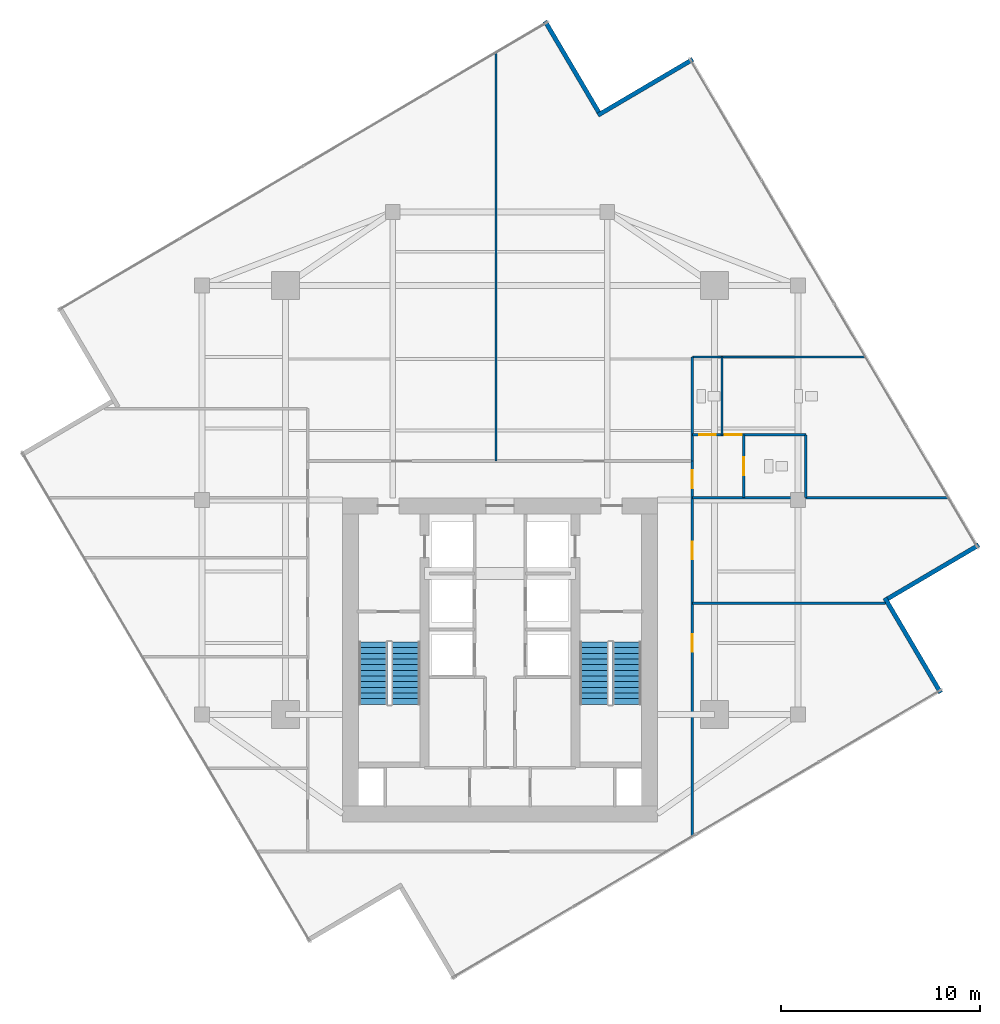
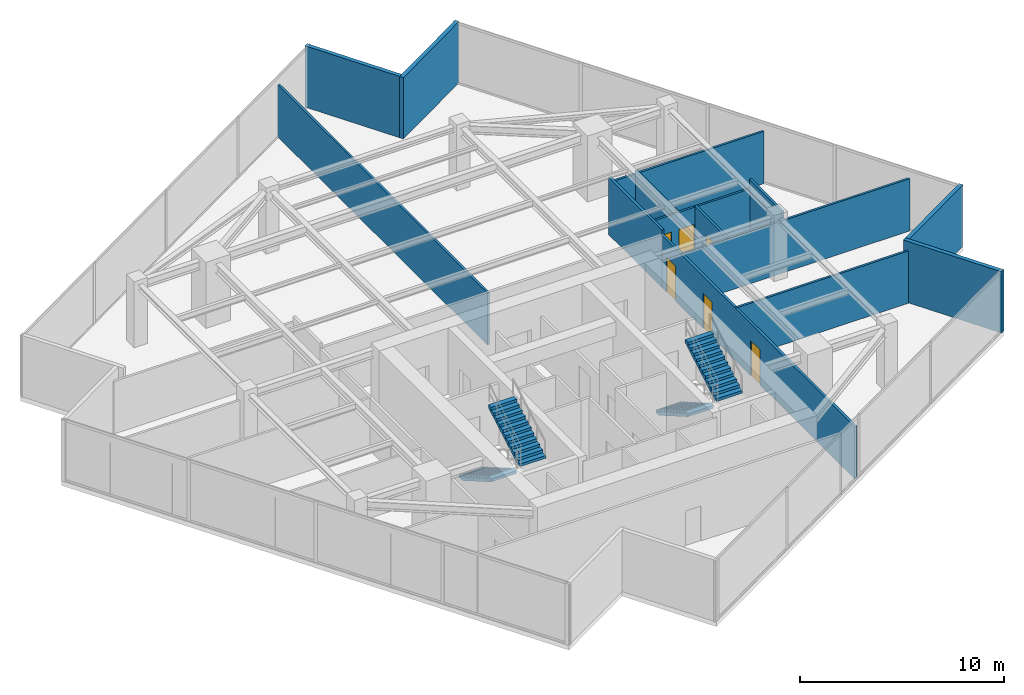
# One storey, part 18 of 20: 14 walls, 6 doors, 4 stair flights, 6 openings, 2 elements without a shape of their own.
"""IFC4 building model written with IfcOpenShell, lengths in metres."""

from ifc_helpers import new_model, si_unit, direction, frame, frame_2d, origin, place, context, subcontext, project, spatial, polyline, rectangle, outline, extrude, material, layer, layer_set, type_object, element, fill, aggregate, save


model = new_model("IFC4")

# Units and contexts
model_context = context("Model", 3, precision=1e-05, world=origin(), true_north=direction((0.0, 1.0)))
body_context = subcontext(model_context, "Body", "Model", "MODEL_VIEW")
ifc_project = project(units=[si_unit("LENGTHUNIT", "METRE"), si_unit("AREAUNIT", "SQUARE_METRE"), si_unit("VOLUMEUNIT", "CUBIC_METRE"), si_unit("PLANEANGLEUNIT", "RADIAN"), si_unit("MASSUNIT", "GRAM", prefix="KILO")], contexts=[model_context])

# Site, building, storey
site_placement = place(None, origin())
site = spatial("IfcSite", under=ifc_project, at=site_placement, CompositionType="ELEMENT")
building_placement = place(site_placement, origin())
building = spatial("IfcBuilding", under=site, at=building_placement, Name="Krantzveldt Concourse Tower", CompositionType="ELEMENT")
storey_placement = place(building_placement, frame((0.0, 0.0, 299.0)))
storey = spatial("IfcBuildingStorey", under=building, at=storey_placement, Name="L73", CompositionType="ELEMENT", Elevation=299.0)

# Walls
ifc_material_1 = material(Name="Anodised aluminium 6063-T6", Category="aluminium")
ifc_layer_1 = layer(ifc_material_1, 0.219970703125, Name="Anodised aluminium 6063-T6", Category="aluminium")
ifc_layer_set_1 = layer_set([ifc_layer_1], Name="Anodised aluminium 6063-T6 (WL-EXT-NOTCH220)")
wall_type_1 = type_object("IfcWallType", Name="WL-EXT-NOTCH220", PredefinedType="ELEMENTEDWALL", material=ifc_layer_set_1)
wall_1_placement = place(storey_placement, frame((40.96875, 46.223388671875, 0.0), z_axis=(0.0, 0.0, 1.0), x_axis=(-0.507540984104, 0.861627616465, 0.0)))
element("IfcWall", 1, at=wall_1_placement, inside=storey, type_object=wall_type_1, Name="EW-L73-NCH00", PredefinedType="ELEMENTEDWALL", context=body_context, shape_type="SweptSolid", body=[
    extrude(rectangle(XDim=5.324951171875, YDim=0.219970703125, at=frame_2d((2.66259765625, 0.0))), origin(), (0.0, 0.0, 1.0), 3.669921875),
])
wall_2_placement = place(storey_placement, frame((58.18701171875, 16.992431640625, 0.0), z_axis=(0.0, 0.0, 1.0), x_axis=(-0.507551078836, 0.861621670092, 0.0)))
element("IfcWall", 2, at=wall_2_placement, inside=storey, type_object=wall_type_1, Name="EW-L73-NCH08", PredefinedType="ELEMENTEDWALL", context=body_context, shape_type="SweptSolid", body=[
    extrude(rectangle(XDim=5.545166015625, YDim=0.219970703125, at=frame_2d((2.7724609375, 0.0))), origin(), (0.0, 0.0, 1.0), 3.669921875),
])
wall_3_placement = place(storey_placement, frame((55.523193359375, 21.731201171875, 0.0), z_axis=(0.0, 0.0, 1.0), x_axis=(0.861627616465, 0.507540984104, 0.0)))
element("IfcWall", 3, at=wall_3_placement, inside=storey, type_object=wall_type_1, Name="EW-L73-NCH09", PredefinedType="ELEMENTEDWALL", context=body_context, shape_type="SweptSolid", body=[
    extrude(rectangle(XDim=5.324951171875, YDim=0.219970703125, at=frame_2d((2.66259765625, 0.0))), origin(), (0.0, 0.0, 1.0), 3.669921875),
])
wall_4_placement = place(storey_placement, frame((45.70751953125, 48.886962890625, 0.0), z_axis=(0.0, 0.0, 1.0), x_axis=(-0.861640923955, -0.507518391948, 0.0)))
element("IfcWall", 4, at=wall_4_placement, inside=storey, type_object=wall_type_1, Name="EW-L73-NCH11", PredefinedType="ELEMENTEDWALL", context=body_context, shape_type="SweptSolid", body=[
    extrude(rectangle(XDim=5.544921875, YDim=0.219970703125, at=frame_2d((2.7724609375, 0.0))), origin(), (0.0, 0.0, 1.0), 3.669921875),
])
ifc_material_2 = material(Name="Fire-rated gypsum plasterboard on steel stud", Category="steel")
ifc_layer_2 = layer(ifc_material_2, 0.1201171875, Name="Fire-rated gypsum plasterboard on steel stud", Category="steel")
ifc_layer_set_2 = layer_set([ifc_layer_2], Name="Fire-rated gypsum plasterboard on steel stud (WL-PART-120)")
wall_type_2 = type_object("IfcWallType", Name="WL-PART-120", PredefinedType="PARTITIONING", material=ifc_layer_set_2)
wall_5_placement = place(storey_placement, frame((45.679931640625, 26.820068359375, 0.0), z_axis=(0.0, 0.0, 1.0), x_axis=(1.0, 0.0, 0.0)))
element("IfcWall", 5, at=wall_5_placement, inside=storey, type_object=wall_type_2, Name="WP-L73-WCBS", PredefinedType="PARTITIONING", context=body_context, shape_type="SweptSolid", body=[
    extrude(rectangle(XDim=12.892578125, YDim=0.1201171875, at=frame_2d((6.4462890625, 0.0))), origin(), (0.0, 0.0, 1.0), 3.1298828125),
])
wall_6_placement = place(storey_placement, frame((45.679931640625, 33.89990234375, 0.0), z_axis=(0.0, 0.0, 1.0), x_axis=(1.0, 0.0, 0.0)))
element("IfcWall", 6, at=wall_6_placement, inside=storey, type_object=wall_type_2, Name="WP-L73-WCBN", PredefinedType="PARTITIONING", context=body_context, shape_type="SweptSolid", body=[
    extrude(rectangle(XDim=8.72216796875, YDim=0.1201171875, at=frame_2d((4.361083984375, 0.0))), origin(), (0.0, 0.0, 1.0), 3.1298828125),
])

# Wall, openings, doors
wall_7_placement = place(storey_placement, frame((45.679931640625, 29.97998046875, 0.0), z_axis=(0.0, 0.0, 1.0), x_axis=(1.0, 0.0, 0.0)))
wall_7 = element("IfcWall", 7, at=wall_7_placement, inside=storey, type_object=wall_type_2, Name="WP-L73-WCMH", PredefinedType="PARTITIONING", context=body_context, shape_type="SweptSolid", body=[
    extrude(rectangle(XDim=5.719970703125, YDim=0.1201171875, at=frame_2d((2.85986328125, 0.0))), origin(), (0.0, 0.0, 1.0), 3.1298828125),
])
opening_1_placement = place(wall_7_placement, frame((1.64501953125, 0.0, 0.0)))
opening_1 = element("IfcOpeningElement", 8, at=opening_1_placement, cuts=wall_7, Name="Opening D-IN085", PredefinedType="OPENING", context=body_context, shape_type="SweptSolid", body=[
    extrude(rectangle(XDim=0.85009765625, YDim=2.10009765625, at=frame_2d((0.425048828125, 1.050048828125))), frame((0.0, 0.070068359375, 0.0), z_axis=(0.0, -1.0, 0.0), x_axis=(1.0, 0.0, 0.0)), (0.0, 0.0, 1.0), 0.14013671875),
])
opening_2_placement = place(wall_7_placement, frame((0.344970703125, 0.0, 0.0)))
opening_2 = element("IfcOpeningElement", 9, at=opening_2_placement, cuts=wall_7, Name="Opening D-IN085", PredefinedType="OPENING", context=body_context, shape_type="SweptSolid", body=[
    extrude(rectangle(XDim=0.85009765625, YDim=2.10009765625, at=frame_2d((0.425048828125, 1.050048828125))), frame((0.0, 0.070068359375, 0.0), z_axis=(0.0, -1.0, 0.0), x_axis=(1.0, 0.0, 0.0)), (0.0, 0.0, 1.0), 0.14013671875),
])
ifc_material_3 = material(Name="Hardwood timber", Category="wood")
door_type_1 = type_object("IfcDoorType", Name="DR-INT-850", OperationType="SINGLE_SWING_LEFT", PredefinedType="DOOR", material=ifc_material_3)
door_1_placement = place(opening_1_placement, origin())
door_1 = element("IfcDoor", 10, at=door_1_placement, inside=storey, type_object=door_type_1, Name="DR-L73-WCM", OperationType="SINGLE_SWING_RIGHT", OverallHeight=2.10009765625, OverallWidth=0.85009765625, PredefinedType="DOOR", context=body_context, shape_type="SweptSolid", body=[
    extrude(rectangle(XDim=0.85009765625, YDim=2.10009765625, at=frame_2d((0.425048828125, 1.050048828125))), frame((0.0, 0.02490234375, 0.0), z_axis=(0.0, -1.0, 0.0), x_axis=(1.0, 0.0, 0.0)), (0.0, 0.0, 1.0), 0.050048828125),
])
fill(opening_1, door_1)
door_2_placement = place(opening_2_placement, origin())
door_2 = element("IfcDoor", 11, at=door_2_placement, inside=storey, type_object=door_type_1, Name="DR-L73-WCF", OperationType="SINGLE_SWING_LEFT", OverallHeight=2.10009765625, OverallWidth=0.85009765625, PredefinedType="DOOR", context=body_context, shape_type="SweptSolid", body=[
    extrude(rectangle(XDim=0.85009765625, YDim=2.10009765625, at=frame_2d((0.425048828125, 1.050048828125))), frame((0.0, 0.02490234375, 0.0), z_axis=(0.0, -1.0, 0.0), x_axis=(1.0, 0.0, 0.0)), (0.0, 0.0, 1.0), 0.050048828125),
])
fill(opening_2, door_2)

# Wall
wall_8_placement = place(storey_placement, frame((51.39990234375, 26.820068359375, 0.0), z_axis=(0.0, 0.0, 1.0), x_axis=(0.0, 1.0, 0.0)))
element("IfcWall", 12, at=wall_8_placement, inside=storey, type_object=wall_type_2, Name="WP-L73-WCAR", PredefinedType="PARTITIONING", context=body_context, shape_type="SweptSolid", body=[
    extrude(rectangle(XDim=3.159912109375, YDim=0.1201171875, at=frame_2d((1.580078125, 0.0))), origin(), (0.0, 0.0, 1.0), 3.669921875),
])

# Wall, opening, door
wall_9_placement = place(storey_placement, frame((48.280029296875, 26.820068359375, 0.0), z_axis=(0.0, 0.0, 1.0), x_axis=(0.0, 1.0, 0.0)))
wall_9 = element("IfcWall", 13, at=wall_9_placement, inside=storey, type_object=wall_type_2, Name="WP-L73-WCAV", PredefinedType="PARTITIONING", context=body_context, shape_type="SweptSolid", body=[
    extrude(rectangle(XDim=3.159912109375, YDim=0.1201171875, at=frame_2d((1.580078125, 0.0))), origin(), (0.0, 0.0, 1.0), 3.179931640625),
])
opening_3_placement = place(wall_9_placement, frame((1.1298828125, 0.0, 0.0)))
opening_3 = element("IfcOpeningElement", 14, at=opening_3_placement, cuts=wall_9, Name="Opening D-IN090", PredefinedType="OPENING", context=body_context, shape_type="SweptSolid", body=[
    extrude(rectangle(XDim=0.89990234375, YDim=2.10009765625, at=frame_2d((0.449951171875, 1.050048828125))), frame((0.0, 0.070068359375, 0.0), z_axis=(0.0, -1.0, 0.0), x_axis=(1.0, 0.0, 0.0)), (0.0, 0.0, 1.0), 0.14013671875),
])
door_type_2 = type_object("IfcDoorType", Name="DR-INT-900", OperationType="SINGLE_SWING_LEFT", PredefinedType="DOOR", material=ifc_material_3)
door_3_placement = place(opening_3_placement, origin())
door_3 = element("IfcDoor", 15, at=door_3_placement, inside=storey, type_object=door_type_2, Name="DR-L73-WCA", OperationType="SINGLE_SWING_RIGHT", OverallHeight=2.10009765625, OverallWidth=0.89990234375, PredefinedType="DOOR", context=body_context, shape_type="SweptSolid", body=[
    extrude(rectangle(XDim=0.89990234375, YDim=2.10009765625, at=frame_2d((0.449951171875, 1.050048828125))), frame((0.0, 0.02490234375, 0.0), z_axis=(0.0, -1.0, 0.0), x_axis=(1.0, 0.0, 0.0)), (0.0, 0.0, 1.0), 0.050048828125),
])
fill(opening_3, door_3)

# Walls
wall_10_placement = place(storey_placement, frame((47.179931640625, 29.97998046875, 0.0), z_axis=(0.0, 0.0, 1.0), x_axis=(0.0, 1.0, 0.0)))
element("IfcWall", 16, at=wall_10_placement, inside=storey, type_object=wall_type_2, Name="WP-L73-WCFD", PredefinedType="PARTITIONING", context=body_context, shape_type="SweptSolid", body=[
    extrude(rectangle(XDim=3.919921875, YDim=0.1201171875, at=frame_2d((1.9599609375, 0.0))), origin(), (0.0, 0.0, 1.0), 3.31005859375),
])
wall_11_placement = place(storey_placement, frame((35.800048828125, 28.659912109375, 0.0), z_axis=(0.0, 0.0, 1.0), x_axis=(0.0, 1.0, 0.0)))
element("IfcWall", 17, at=wall_11_placement, inside=storey, type_object=wall_type_2, Name="WP-L73-ND1", PredefinedType="PARTITIONING", context=body_context, shape_type="SweptSolid", body=[
    extrude(rectangle(XDim=20.5654296875, YDim=0.1201171875, at=frame_2d((10.28271484375, 0.0))), origin(), (0.0, 0.0, 1.0), 3.1298828125),
])
wall_12_placement = place(storey_placement, frame((45.679931640625, 21.5, 0.0), z_axis=(0.0, 0.0, 1.0), x_axis=(1.0, 0.0, 0.0)))
element("IfcWall", 18, at=wall_12_placement, inside=storey, type_object=wall_type_2, Name="WP-L73-ED1", PredefinedType="PARTITIONING", context=body_context, shape_type="SweptSolid", body=[
    extrude(rectangle(XDim=9.718505859375, YDim=0.1201171875, at=frame_2d((4.859375, 0.0))), origin(), (0.0, 0.0, 1.0), 3.1298828125),
])

# Wall, openings, doors
ifc_layer_3 = layer(ifc_material_2, 0.139892578125, Name="Fire-rated gypsum plasterboard on steel stud", Category="steel")
ifc_layer_set_3 = layer_set([ifc_layer_3], Name="Fire-rated gypsum plasterboard on steel stud (WL-PART-140)")
wall_type_3 = type_object("IfcWallType", Name="WL-PART-140", PredefinedType="PARTITIONING", material=ifc_layer_set_3)
wall_13_placement = place(storey_placement, frame((45.679931640625, 9.7587890625, 0.0), z_axis=(0.0, 0.0, 1.0), x_axis=(0.0, 1.0, 0.0)))
wall_13 = element("IfcWall", 19, at=wall_13_placement, inside=storey, type_object=wall_type_3, Name="WP-L73-CEAST", PredefinedType="PARTITIONING", context=body_context, shape_type="SweptSolid", body=[
    extrude(rectangle(XDim=18.901123046875, YDim=0.139892578125, at=frame_2d((9.45068359375, 0.0))), origin(), (0.0, 0.0, 1.0), 3.1298828125),
])
opening_4_placement = place(wall_13_placement, frame((17.541259765625, 0.0, 0.0)))
opening_4 = element("IfcOpeningElement", 20, at=opening_4_placement, cuts=wall_13, Name="Opening D-IN090", PredefinedType="OPENING", context=body_context, shape_type="SweptSolid", body=[
    extrude(rectangle(XDim=0.89990234375, YDim=2.10009765625, at=frame_2d((0.449951171875, 1.050048828125))), frame((0.0, 0.080078125, 0.0), z_axis=(0.0, -1.0, 0.0), x_axis=(1.0, 0.0, 0.0)), (0.0, 0.0, 1.0), 0.159912109375),
])
opening_5_placement = place(wall_13_placement, frame((9.291259765625, 0.0, 0.0)))
opening_5 = element("IfcOpeningElement", 21, at=opening_5_placement, cuts=wall_13, Name="Opening D-IN090", PredefinedType="OPENING", context=body_context, shape_type="SweptSolid", body=[
    extrude(rectangle(XDim=0.89990234375, YDim=2.10009765625, at=frame_2d((0.449951171875, 1.050048828125))), frame((0.0, 0.080078125, 0.0), z_axis=(0.0, -1.0, 0.0), x_axis=(1.0, 0.0, 0.0)), (0.0, 0.0, 1.0), 0.159912109375),
])
opening_6_placement = place(wall_13_placement, frame((13.951171875, 0.0, 0.0)))
opening_6 = element("IfcOpeningElement", 22, at=opening_6_placement, cuts=wall_13, Name="Opening D-IN090", PredefinedType="OPENING", context=body_context, shape_type="SweptSolid", body=[
    extrude(rectangle(XDim=0.89990234375, YDim=2.10009765625, at=frame_2d((0.449951171875, 1.050048828125))), frame((0.0, 0.080078125, 0.0), z_axis=(0.0, -1.0, 0.0), x_axis=(1.0, 0.0, 0.0)), (0.0, 0.0, 1.0), 0.159912109375),
])
door_4_placement = place(opening_4_placement, origin())
door_4 = element("IfcDoor", 23, at=door_4_placement, inside=storey, type_object=door_type_2, Name="DR-L73-WCV", OperationType="SINGLE_SWING_RIGHT", OverallHeight=2.10009765625, OverallWidth=0.89990234375, PredefinedType="DOOR", context=body_context, shape_type="SweptSolid", body=[
    extrude(rectangle(XDim=0.89990234375, YDim=2.10009765625, at=frame_2d((0.449951171875, 1.050048828125))), frame((0.0, 0.02490234375, 0.0), z_axis=(0.0, -1.0, 0.0), x_axis=(1.0, 0.0, 0.0)), (0.0, 0.0, 1.0), 0.050048828125),
])
fill(opening_4, door_4)
door_5_placement = place(opening_5_placement, origin())
door_5 = element("IfcDoor", 24, at=door_5_placement, inside=storey, type_object=door_type_2, Name="DR-L73-ER1", OperationType="SINGLE_SWING_LEFT", OverallHeight=2.10009765625, OverallWidth=0.89990234375, PredefinedType="DOOR", context=body_context, shape_type="SweptSolid", body=[
    extrude(rectangle(XDim=0.89990234375, YDim=2.10009765625, at=frame_2d((0.449951171875, 1.050048828125))), frame((0.0, 0.02490234375, 0.0), z_axis=(0.0, -1.0, 0.0), x_axis=(1.0, 0.0, 0.0)), (0.0, 0.0, 1.0), 0.050048828125),
])
fill(opening_5, door_5)
door_6_placement = place(opening_6_placement, origin())
door_6 = element("IfcDoor", 25, at=door_6_placement, inside=storey, type_object=door_type_2, Name="DR-L73-ER2", OperationType="SINGLE_SWING_LEFT", OverallHeight=2.10009765625, OverallWidth=0.89990234375, PredefinedType="DOOR", context=body_context, shape_type="SweptSolid", body=[
    extrude(rectangle(XDim=0.89990234375, YDim=2.10009765625, at=frame_2d((0.449951171875, 1.050048828125))), frame((0.0, 0.02490234375, 0.0), z_axis=(0.0, -1.0, 0.0), x_axis=(1.0, 0.0, 0.0)), (0.0, 0.0, 1.0), 0.050048828125),
])
fill(opening_6, door_6)

# Wall
wall_14_placement = place(storey_placement, frame((45.679931640625, 28.659912109375, 0.0), z_axis=(0.0, 0.0, 1.0), x_axis=(0.0, 1.0, 0.0)))
element("IfcWall", 26, at=wall_14_placement, inside=storey, type_object=wall_type_3, Name="WP-L73-NER", PredefinedType="PARTITIONING", context=body_context, shape_type="SweptSolid", body=[
    extrude(rectangle(XDim=5.239990234375, YDim=0.139892578125, at=frame_2d((2.6201171875, 0.0))), origin(), (0.0, 0.0, 1.0), 3.429931640625),
])

# Stair, stair flights
ifc_material_4 = material(Name="Precast concrete C40/50", Category="concrete")
stair_type = type_object("IfcStairType", Name="STR-CORE-DOGLEG", PredefinedType="HALF_TURN_STAIR", material=ifc_material_4)
stair_1_placement = place(storey_placement, origin())
stair_1 = element("IfcStair", 27, at=stair_1_placement, inside=storey, type_object=stair_type, Name="L73 Protected Escape Stair ST-1", PredefinedType="HALF_TURN_STAIR")
stair_flight_type = type_object("IfcStairFlightType", Name="STF-CORE-1450", PredefinedType="STRAIGHT", material=ifc_material_4)
stair_flight_1_placement = place(storey_placement, frame((29.60498046875, 19.550048828125, 0.0), z_axis=(0.0, 0.0, 1.0), x_axis=(0.0, -1.0, 0.0)))
stair_flight_1 = element("IfcStairFlight", 28, at=stair_flight_1_placement, type_object=stair_flight_type, Name="ST-1 flight 1", NumberOfRisers=12, NumberOfTreads=11, PredefinedType="STRAIGHT", RiserHeight=0.164583333, TreadLength=0.285, context=body_context, shape_type="SweptSolid", body=[
    extrude(outline(polyline([(0.0, 0.0), (0.0, 0.16455078125), (0.284912109375, 0.16455078125), (0.284912109375, 0.3291015625), (0.570068359375, 0.3291015625), (0.570068359375, 0.49365234375), (0.85498046875, 0.49365234375), (0.85498046875, 0.658447265625), (1.139892578125, 0.658447265625), (1.139892578125, 0.822998046875), (1.425048828125, 0.822998046875), (1.425048828125, 0.987548828125), (1.7099609375, 0.987548828125), (1.7099609375, 1.152099609375), (1.9951171875, 1.152099609375), (1.9951171875, 1.316650390625), (2.280029296875, 1.316650390625), (2.280029296875, 1.481201171875), (2.56494140625, 1.481201171875), (2.56494140625, 1.645751953125), (2.85009765625, 1.645751953125), (2.85009765625, 1.810302734375), (3.135009765625, 1.810302734375), (3.135009765625, 1.97509765625), (3.135009765625, 1.63720703125), (0.2998046875, 0.0), (0.0, 0.0)])), frame((0.0, 0.72509765625, 0.0), z_axis=(0.0, -1.0, 0.0), x_axis=(1.0, 0.0, 0.0)), (0.0, 0.0, 1.0), 1.449951171875),
])
stair_flight_2_placement = place(storey_placement, frame((31.2548828125, 16.4150390625, 1.97509765625), z_axis=(0.0, 0.0, 1.0), x_axis=(0.0, 1.0, 0.0)))
stair_flight_2 = element("IfcStairFlight", 29, at=stair_flight_2_placement, type_object=stair_flight_type, Name="ST-1 flight 2", NumberOfRisers=12, NumberOfTreads=11, PredefinedType="STRAIGHT", RiserHeight=0.164583333, TreadLength=0.285, context=body_context, shape_type="SweptSolid", body=[
    extrude(outline(polyline([(0.0, 0.0), (0.0, 0.16455078125), (0.284912109375, 0.16455078125), (0.284912109375, 0.3291015625), (0.570068359375, 0.3291015625), (0.570068359375, 0.49365234375), (0.85498046875, 0.49365234375), (0.85498046875, 0.658447265625), (1.139892578125, 0.658447265625), (1.139892578125, 0.822998046875), (1.425048828125, 0.822998046875), (1.425048828125, 0.987548828125), (1.7099609375, 0.987548828125), (1.7099609375, 1.152099609375), (1.9951171875, 1.152099609375), (1.9951171875, 1.316650390625), (2.280029296875, 1.316650390625), (2.280029296875, 1.481201171875), (2.56494140625, 1.481201171875), (2.56494140625, 1.645751953125), (2.85009765625, 1.645751953125), (2.85009765625, 1.810302734375), (3.135009765625, 1.810302734375), (3.135009765625, 1.97509765625), (3.135009765625, 1.63720703125), (0.2998046875, 0.0), (0.0, 0.0)])), frame((0.0, 0.72509765625, 0.0), z_axis=(0.0, -1.0, 0.0), x_axis=(1.0, 0.0, 0.0)), (0.0, 0.0, 1.0), 1.449951171875),
])
aggregate(stair_1, [stair_flight_1, stair_flight_2])

stair_2_placement = place(storey_placement, origin())
stair_2 = element("IfcStair", 30, at=stair_2_placement, inside=storey, type_object=stair_type, Name="L73 Protected Escape Stair ST-2", PredefinedType="HALF_TURN_STAIR")
stair_flight_3_placement = place(storey_placement, frame((40.7451171875, 19.550048828125, 0.0), z_axis=(0.0, 0.0, 1.0), x_axis=(0.0, -1.0, 0.0)))
stair_flight_3 = element("IfcStairFlight", 31, at=stair_flight_3_placement, type_object=stair_flight_type, Name="ST-2 flight 1", NumberOfRisers=12, NumberOfTreads=11, PredefinedType="STRAIGHT", RiserHeight=0.164583333, TreadLength=0.285, context=body_context, shape_type="SweptSolid", body=[
    extrude(outline(polyline([(0.0, 0.0), (0.0, 0.16455078125), (0.284912109375, 0.16455078125), (0.284912109375, 0.3291015625), (0.570068359375, 0.3291015625), (0.570068359375, 0.49365234375), (0.85498046875, 0.49365234375), (0.85498046875, 0.658447265625), (1.139892578125, 0.658447265625), (1.139892578125, 0.822998046875), (1.425048828125, 0.822998046875), (1.425048828125, 0.987548828125), (1.7099609375, 0.987548828125), (1.7099609375, 1.152099609375), (1.9951171875, 1.152099609375), (1.9951171875, 1.316650390625), (2.280029296875, 1.316650390625), (2.280029296875, 1.481201171875), (2.56494140625, 1.481201171875), (2.56494140625, 1.645751953125), (2.85009765625, 1.645751953125), (2.85009765625, 1.810302734375), (3.135009765625, 1.810302734375), (3.135009765625, 1.97509765625), (3.135009765625, 1.63720703125), (0.2998046875, 0.0), (0.0, 0.0)])), frame((0.0, 0.72509765625, 0.0), z_axis=(0.0, -1.0, 0.0), x_axis=(1.0, 0.0, 0.0)), (0.0, 0.0, 1.0), 1.449951171875),
])
stair_flight_4_placement = place(storey_placement, frame((42.39501953125, 16.4150390625, 1.97509765625), z_axis=(0.0, 0.0, 1.0), x_axis=(0.0, 1.0, 0.0)))
stair_flight_4 = element("IfcStairFlight", 32, at=stair_flight_4_placement, type_object=stair_flight_type, Name="ST-2 flight 2", NumberOfRisers=12, NumberOfTreads=11, PredefinedType="STRAIGHT", RiserHeight=0.164583333, TreadLength=0.285, context=body_context, shape_type="SweptSolid", body=[
    extrude(outline(polyline([(0.0, 0.0), (0.0, 0.16455078125), (0.284912109375, 0.16455078125), (0.284912109375, 0.3291015625), (0.570068359375, 0.3291015625), (0.570068359375, 0.49365234375), (0.85498046875, 0.49365234375), (0.85498046875, 0.658447265625), (1.139892578125, 0.658447265625), (1.139892578125, 0.822998046875), (1.425048828125, 0.822998046875), (1.425048828125, 0.987548828125), (1.7099609375, 0.987548828125), (1.7099609375, 1.152099609375), (1.9951171875, 1.152099609375), (1.9951171875, 1.316650390625), (2.280029296875, 1.316650390625), (2.280029296875, 1.481201171875), (2.56494140625, 1.481201171875), (2.56494140625, 1.645751953125), (2.85009765625, 1.645751953125), (2.85009765625, 1.810302734375), (3.135009765625, 1.810302734375), (3.135009765625, 1.97509765625), (3.135009765625, 1.63720703125), (0.2998046875, 0.0), (0.0, 0.0)])), frame((0.0, 0.72509765625, 0.0), z_axis=(0.0, -1.0, 0.0), x_axis=(1.0, 0.0, 0.0)), (0.0, 0.0, 1.0), 1.449951171875),
])
aggregate(stair_2, [stair_flight_3, stair_flight_4])

save(model, "model.ifc")
